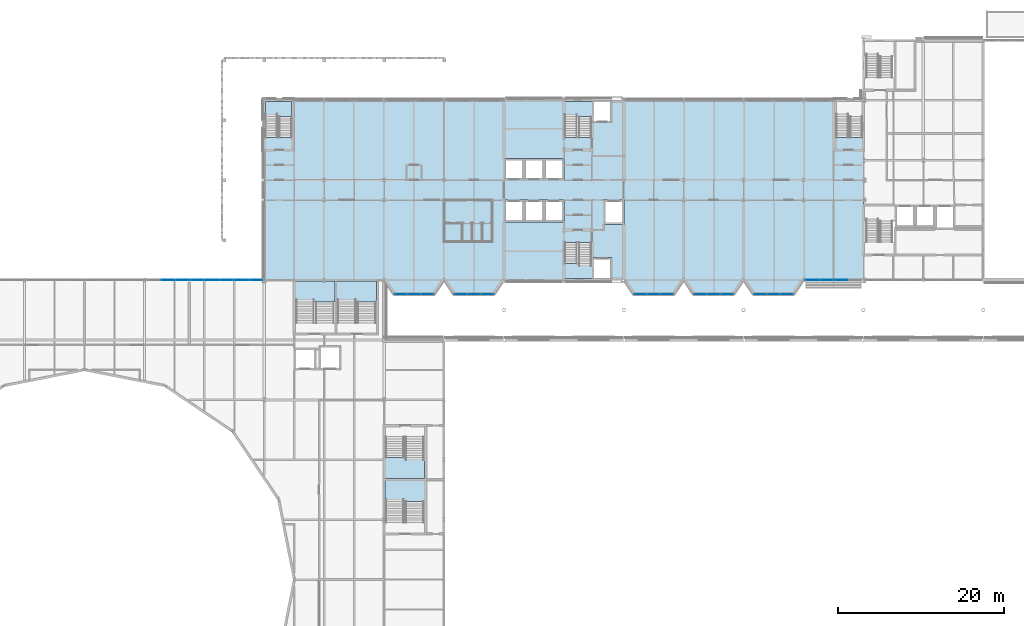
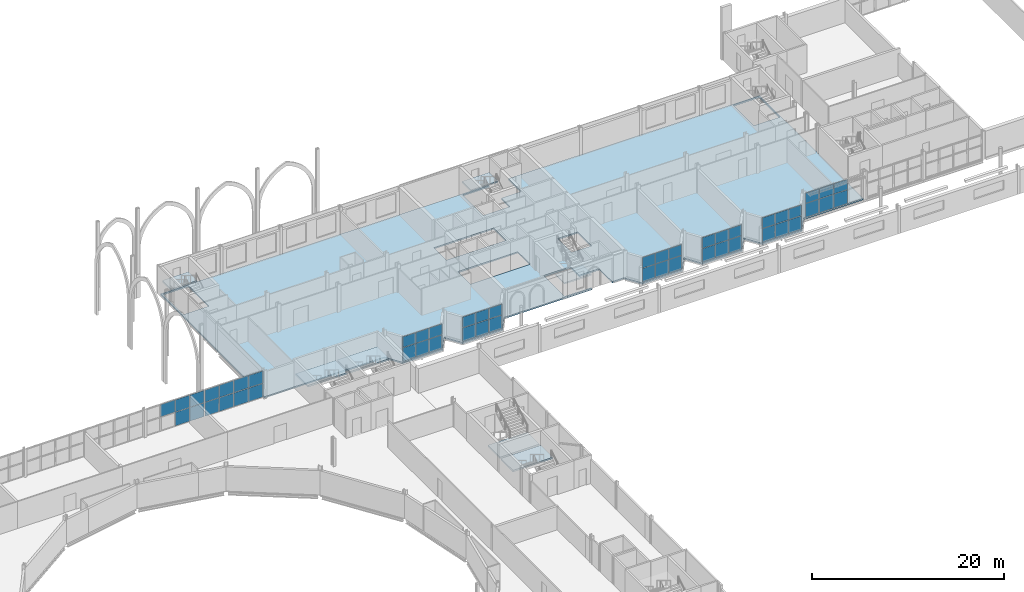
# One storey, part 60 of 124: 49 plates, 8 slabs, 15 elements without a shape of their own.
"""IFC4 building model written with IfcOpenShell, lengths in metres."""

from ifc_helpers import new_model, si_unit, direction, frame, origin, origin_2d, place, context, subcontext, project, spatial, polyline, rectangle, outline, extrude, material, layer, layer_set, type_object, element, aggregate, save


model = new_model("IFC4")

# Units and contexts
model_context = context("Model", 3, precision=1e-05, world=origin(), true_north=direction((0.0, 1.0)))
body_context = subcontext(model_context, "Body", "Model", "MODEL_VIEW")
ifc_project = project(units=[si_unit("LENGTHUNIT", "METRE"), si_unit("AREAUNIT", "SQUARE_METRE"), si_unit("VOLUMEUNIT", "CUBIC_METRE"), si_unit("PLANEANGLEUNIT", "RADIAN"), si_unit("MASSUNIT", "GRAM", prefix="KILO")], contexts=[model_context])

# Site, building, storey
site_placement = place(None, origin())
site = spatial("IfcSite", under=ifc_project, at=site_placement, CompositionType="ELEMENT")
building_placement = place(site_placement, origin())
building = spatial("IfcBuilding", under=site, at=building_placement, Name="Kupolbacken Congress Centre", CompositionType="ELEMENT")
storey_placement = place(building_placement, frame((0.0, 0.0, 10.800048828125)))
storey = spatial("IfcBuildingStorey", under=building, at=storey_placement, Name="L03", CompositionType="ELEMENT", Elevation=10.800048828125)

# Slab
ifc_material_1 = material(Name="Concrete C30/37", Category="concrete")
ifc_layer_1 = layer(ifc_material_1, 0.1201171875)
ifc_material_2 = material(Name="Steel S350 profiled deck", Category="steel")
ifc_layer_2 = layer(ifc_material_2, 0.06005859375)
ifc_layer_set_1 = layer_set([ifc_layer_1, ifc_layer_2], Name="Concrete C30/37 / Steel S350 profiled deck")
slab_type_1 = type_object("IfcSlabType", Name="FS3 slab 180", PredefinedType="FLOOR", material=ifc_layer_set_1)
slab_1_placement = place(storey_placement, frame((0.0, 0.0, -0.179931640625)))
element("IfcSlab", 1, at=slab_1_placement, inside=storey, type_object=slab_type_1, Name="S/floor/T/L03/slab/slab", PredefinedType="FLOOR", context=body_context, shape_type="SweptSolid", body=[
    extrude(outline(polyline([(79.200439453125, 122.399169921875), (80.399658203125, 120.6005859375), (85.2001953125, 120.6005859375), (86.39990234375, 122.39990234375), (87.599609375, 120.6005859375), (92.400390625, 120.6005859375), (93.599609375, 122.3994140625), (93.599609375, 122.400390625), (104.199462890625, 122.400390625), (104.199462890625, 122.574462890625), (100.974609375, 122.574462890625), (100.974609375, 126.890380859375), (104.200439453125, 126.890380859375), (104.200439453125, 125.1005859375), (106.6005859375, 125.1005859375), (106.6005859375, 122.400390625), (108.00048828125, 122.400390625), (108.00048828125, 122.399169921875), (109.19970703125, 120.6005859375), (114.000244140625, 120.6005859375), (115.199951171875, 122.39990234375), (116.399658203125, 120.6005859375), (121.2001953125, 120.6005859375), (122.39990234375, 122.39990234375), (123.599609375, 120.6005859375), (128.400390625, 120.6005859375), (129.599609375, 122.3994140625), (129.599609375, 122.400390625), (136.799560546875, 122.400390625), (136.799560546875, 143.99951171875), (106.6005859375, 143.99951171875), (106.6005859375, 141.299560546875), (104.200439453125, 141.299560546875), (104.200439453125, 139.509521484375), (100.974609375, 139.509521484375), (100.974609375, 143.825439453125), (104.199462890625, 143.825439453125), (104.199462890625, 143.99951171875), (64.800537109375, 143.99951171875), (64.800537109375, 122.400390625), (79.200439453125, 122.400390625), (79.200439453125, 122.399169921875)]), holes=[polyline([(136.650390625, 139.534423828125), (133.549560546875, 139.534423828125), (133.549560546875, 143.8505859375), (136.650390625, 143.8505859375), (136.650390625, 139.534423828125)]), polyline([(108.00048828125, 129.099609375), (105.599609375, 129.099609375), (105.599609375, 132.00048828125), (108.00048828125, 132.00048828125), (108.00048828125, 129.099609375)]), polyline([(93.599609375, 132.00048828125), (100.800537109375, 132.00048828125), (100.800537109375, 129.3994140625), (93.599609375, 129.3994140625), (93.599609375, 132.00048828125)]), polyline([(93.599609375, 137.00048828125), (100.800537109375, 137.00048828125), (100.800537109375, 134.3994140625), (93.599609375, 134.3994140625), (93.599609375, 137.00048828125)]), polyline([(68.050537109375, 143.8505859375), (68.050537109375, 139.534423828125), (64.949462890625, 139.534423828125), (64.949462890625, 143.8505859375), (68.050537109375, 143.8505859375)])]), origin(), (0.0, 0.0, 1.0), 0.179931640625),
])

# Curtain wall, plates
ifc_material_3 = material(Name="Aluminium mullion-transom frame with glass", Category="aluminium")
curtain_wall_type = type_object("IfcCurtainWallType", Name="CW1 curtain wall 7200x3600", PredefinedType="NOTDEFINED", material=ifc_material_3)
curtain_wall_1_placement = place(storey_placement, origin())
curtain_wall_1 = element("IfcCurtainWall", 2, at=curtain_wall_1_placement, inside=storey, type_object=curtain_wall_type, Name="E/P/N/L03/374", PredefinedType="NOTDEFINED")
ifc_material_4 = material(Name="Glass", Category="glass")
ifc_layer_3 = layer(ifc_material_4, 0.035888671875)
ifc_layer_set_2 = layer_set([ifc_layer_3], Name="Glass")
plate_type = type_object("IfcPlateType", Name="GL2 glass panel 36", PredefinedType="CURTAIN_PANEL", material=ifc_layer_set_2)
plate_1_placement = place(storey_placement, frame((63.75634765625, 122.39990234375, 0.0498046875), z_axis=(0.0, 0.0, 1.0), x_axis=(-1.0, 0.0, 0.0)))
plate_1 = element("IfcPlate", 3, at=plate_1_placement, type_object=plate_type, Name="CW1 panel 1.1", PredefinedType="CURTAIN_PANEL", context=body_context, shape_type="SweptSolid", body=[
    extrude(rectangle(XDim=1.6875, YDim=0.035888671875, at=origin_2d()), origin(), (0.0, 0.0, 1.0), 1.72509765625),
])
plate_2_placement = place(storey_placement, frame((63.75634765625, 122.39990234375, 1.824951171875), z_axis=(0.0, 0.0, 1.0), x_axis=(-1.0, 0.0, 0.0)))
plate_2 = element("IfcPlate", 4, at=plate_2_placement, type_object=plate_type, Name="CW1 panel 1.2", PredefinedType="CURTAIN_PANEL", context=body_context, shape_type="SweptSolid", body=[
    extrude(rectangle(XDim=1.6875, YDim=0.035888671875, at=origin_2d()), origin(), (0.0, 0.0, 1.0), 1.544921875),
])
plate_3_placement = place(storey_placement, frame((62.00634765625, 122.39990234375, 0.0498046875), z_axis=(0.0, 0.0, 1.0), x_axis=(-1.0, 0.0, 0.0)))
plate_3 = element("IfcPlate", 5, at=plate_3_placement, type_object=plate_type, Name="CW1 panel 2.1", PredefinedType="CURTAIN_PANEL", context=body_context, shape_type="SweptSolid", body=[
    extrude(rectangle(XDim=1.71240234375, YDim=0.035888671875, at=origin_2d()), origin(), (0.0, 0.0, 1.0), 1.72509765625),
])
plate_4_placement = place(storey_placement, frame((62.00634765625, 122.39990234375, 1.824951171875), z_axis=(0.0, 0.0, 1.0), x_axis=(-1.0, 0.0, 0.0)))
plate_4 = element("IfcPlate", 6, at=plate_4_placement, type_object=plate_type, Name="CW1 panel 2.2", PredefinedType="CURTAIN_PANEL", context=body_context, shape_type="SweptSolid", body=[
    extrude(rectangle(XDim=1.71240234375, YDim=0.035888671875, at=origin_2d()), origin(), (0.0, 0.0, 1.0), 1.544921875),
])
plate_5_placement = place(storey_placement, frame((60.24365234375, 122.39990234375, 0.0498046875), z_axis=(0.0, 0.0, 1.0), x_axis=(-1.0, 0.0, 0.0)))
plate_5 = element("IfcPlate", 7, at=plate_5_placement, type_object=plate_type, Name="CW1 panel 3.1", PredefinedType="CURTAIN_PANEL", context=body_context, shape_type="SweptSolid", body=[
    extrude(rectangle(XDim=1.71240234375, YDim=0.035888671875, at=origin_2d()), origin(), (0.0, 0.0, 1.0), 1.72509765625),
])
plate_6_placement = place(storey_placement, frame((60.24365234375, 122.39990234375, 1.824951171875), z_axis=(0.0, 0.0, 1.0), x_axis=(-1.0, 0.0, 0.0)))
plate_6 = element("IfcPlate", 8, at=plate_6_placement, type_object=plate_type, Name="CW1 panel 3.2", PredefinedType="CURTAIN_PANEL", context=body_context, shape_type="SweptSolid", body=[
    extrude(rectangle(XDim=1.71240234375, YDim=0.035888671875, at=origin_2d()), origin(), (0.0, 0.0, 1.0), 1.544921875),
])
plate_7_placement = place(storey_placement, frame((58.49365234375, 122.39990234375, 0.0498046875), z_axis=(0.0, 0.0, 1.0), x_axis=(-1.0, 0.0, 0.0)))
plate_7 = element("IfcPlate", 9, at=plate_7_placement, type_object=plate_type, Name="CW1 panel 4.1", PredefinedType="CURTAIN_PANEL", context=body_context, shape_type="SweptSolid", body=[
    extrude(rectangle(XDim=1.6875, YDim=0.035888671875, at=origin_2d()), origin(), (0.0, 0.0, 1.0), 1.72509765625),
])
plate_8_placement = place(storey_placement, frame((58.49365234375, 122.39990234375, 1.824951171875), z_axis=(0.0, 0.0, 1.0), x_axis=(-1.0, 0.0, 0.0)))
plate_8 = element("IfcPlate", 10, at=plate_8_placement, type_object=plate_type, Name="CW1 panel 4.2", PredefinedType="CURTAIN_PANEL", context=body_context, shape_type="SweptSolid", body=[
    extrude(rectangle(XDim=1.6875, YDim=0.035888671875, at=origin_2d()), origin(), (0.0, 0.0, 1.0), 1.544921875),
])
aggregate(curtain_wall_1, [plate_1, plate_2, plate_3, plate_4, plate_5, plate_6, plate_7, plate_8])

curtain_wall_2_placement = place(storey_placement, origin())
curtain_wall_2 = element("IfcCurtainWall", 11, at=curtain_wall_2_placement, inside=storey, type_object=curtain_wall_type, Name="E/P/N/L03/375", PredefinedType="NOTDEFINED")
plate_9_placement = place(storey_placement, frame((56.706298828125, 122.39990234375, 0.0498046875), z_axis=(0.0, 0.0, 1.0), x_axis=(-1.0, 0.0, 0.0)))
plate_9 = element("IfcPlate", 12, at=plate_9_placement, type_object=plate_type, Name="CW1 panel 1.1", PredefinedType="CURTAIN_PANEL", context=body_context, shape_type="SweptSolid", body=[
    extrude(rectangle(XDim=1.6875, YDim=0.035888671875, at=origin_2d()), origin(), (0.0, 0.0, 1.0), 1.72509765625),
])
plate_10_placement = place(storey_placement, frame((56.706298828125, 122.39990234375, 1.824951171875), z_axis=(0.0, 0.0, 1.0), x_axis=(-1.0, 0.0, 0.0)))
plate_10 = element("IfcPlate", 13, at=plate_10_placement, type_object=plate_type, Name="CW1 panel 1.2", PredefinedType="CURTAIN_PANEL", context=body_context, shape_type="SweptSolid", body=[
    extrude(rectangle(XDim=1.6875, YDim=0.035888671875, at=origin_2d()), origin(), (0.0, 0.0, 1.0), 1.544921875),
])
plate_11_placement = place(storey_placement, frame((54.956298828125, 122.39990234375, 0.0498046875), z_axis=(0.0, 0.0, 1.0), x_axis=(-1.0, 0.0, 0.0)))
plate_11 = element("IfcPlate", 14, at=plate_11_placement, type_object=plate_type, Name="CW1 panel 2.1", PredefinedType="CURTAIN_PANEL", context=body_context, shape_type="SweptSolid", body=[
    extrude(rectangle(XDim=1.71240234375, YDim=0.035888671875, at=origin_2d()), origin(), (0.0, 0.0, 1.0), 1.72509765625),
])
plate_12_placement = place(storey_placement, frame((54.956298828125, 122.39990234375, 1.824951171875), z_axis=(0.0, 0.0, 1.0), x_axis=(-1.0, 0.0, 0.0)))
plate_12 = element("IfcPlate", 15, at=plate_12_placement, type_object=plate_type, Name="CW1 panel 2.2", PredefinedType="CURTAIN_PANEL", context=body_context, shape_type="SweptSolid", body=[
    extrude(rectangle(XDim=1.71240234375, YDim=0.035888671875, at=origin_2d()), origin(), (0.0, 0.0, 1.0), 1.544921875),
])
plate_13_placement = place(storey_placement, frame((53.19384765625, 122.39990234375, 1.824951171875), z_axis=(0.0, 0.0, 1.0), x_axis=(-1.0, 0.0, 0.0)))
plate_13 = element("IfcPlate", 16, at=plate_13_placement, type_object=plate_type, Name="CW1 panel 3.2", PredefinedType="CURTAIN_PANEL", context=body_context, shape_type="SweptSolid", body=[
    extrude(rectangle(XDim=1.71240234375, YDim=0.035888671875, at=origin_2d()), origin(), (0.0, 0.0, 1.0), 1.544921875),
])
aggregate(curtain_wall_2, [plate_9, plate_10, plate_11, plate_12, plate_13])

curtain_wall_3_placement = place(storey_placement, origin())
curtain_wall_3 = element("IfcCurtainWall", 17, at=curtain_wall_3_placement, inside=storey, type_object=curtain_wall_type, Name="E/T/S/L03/043/g0", PredefinedType="NOTDEFINED")
plate_14_placement = place(storey_placement, frame((130.628173828125, 122.39990234375, 0.0498046875), z_axis=(0.0, 0.0, 1.0), x_axis=(1.0, 0.0, 0.0)))
plate_14 = element("IfcPlate", 18, at=plate_14_placement, type_object=plate_type, Name="CW1 panel 1.1", PredefinedType="CURTAIN_PANEL", context=body_context, shape_type="SweptSolid", body=[
    extrude(rectangle(XDim=1.649169921875, YDim=0.035888671875, at=origin_2d()), origin(), (0.0, 0.0, 1.0), 1.72509765625),
])
plate_15_placement = place(storey_placement, frame((130.628173828125, 122.39990234375, 1.8251953125), z_axis=(0.0, 0.0, 1.0), x_axis=(1.0, 0.0, 0.0)))
plate_15 = element("IfcPlate", 19, at=plate_15_placement, type_object=plate_type, Name="CW1 panel 1.2", PredefinedType="CURTAIN_PANEL", context=body_context, shape_type="SweptSolid", body=[
    extrude(rectangle(XDim=1.649169921875, YDim=0.035888671875, at=origin_2d()), origin(), (0.0, 0.0, 1.0), 1.284912109375),
])
plate_16_placement = place(storey_placement, frame((132.339599609375, 122.39990234375, 0.0498046875), z_axis=(0.0, 0.0, 1.0), x_axis=(1.0, 0.0, 0.0)))
plate_16 = element("IfcPlate", 20, at=plate_16_placement, type_object=plate_type, Name="CW1 panel 2.1", PredefinedType="CURTAIN_PANEL", context=body_context, shape_type="SweptSolid", body=[
    extrude(rectangle(XDim=1.674072265625, YDim=0.035888671875, at=origin_2d()), origin(), (0.0, 0.0, 1.0), 1.72509765625),
])
plate_17_placement = place(storey_placement, frame((132.339599609375, 122.39990234375, 1.8251953125), z_axis=(0.0, 0.0, 1.0), x_axis=(1.0, 0.0, 0.0)))
plate_17 = element("IfcPlate", 21, at=plate_17_placement, type_object=plate_type, Name="CW1 panel 2.2", PredefinedType="CURTAIN_PANEL", context=body_context, shape_type="SweptSolid", body=[
    extrude(rectangle(XDim=1.674072265625, YDim=0.035888671875, at=origin_2d()), origin(), (0.0, 0.0, 1.0), 1.284912109375),
])
plate_18_placement = place(storey_placement, frame((134.063720703125, 122.39990234375, 0.0498046875), z_axis=(0.0, 0.0, 1.0), x_axis=(1.0, 0.0, 0.0)))
plate_18 = element("IfcPlate", 22, at=plate_18_placement, type_object=plate_type, Name="CW1 panel 3.1", PredefinedType="CURTAIN_PANEL", context=body_context, shape_type="SweptSolid", body=[
    extrude(rectangle(XDim=1.674072265625, YDim=0.035888671875, at=origin_2d()), origin(), (0.0, 0.0, 1.0), 1.72509765625),
])
plate_19_placement = place(storey_placement, frame((134.063720703125, 122.39990234375, 1.8251953125), z_axis=(0.0, 0.0, 1.0), x_axis=(1.0, 0.0, 0.0)))
plate_19 = element("IfcPlate", 23, at=plate_19_placement, type_object=plate_type, Name="CW1 panel 3.2", PredefinedType="CURTAIN_PANEL", context=body_context, shape_type="SweptSolid", body=[
    extrude(rectangle(XDim=1.674072265625, YDim=0.035888671875, at=origin_2d()), origin(), (0.0, 0.0, 1.0), 1.284912109375),
])
aggregate(curtain_wall_3, [plate_14, plate_15, plate_16, plate_17, plate_18, plate_19])

curtain_wall_4_placement = place(storey_placement, origin())
curtain_wall_4 = element("IfcCurtainWall", 24, at=curtain_wall_4_placement, inside=storey, type_object=curtain_wall_type, Name="E/T/cumba/L03/S/003/cw", PredefinedType="NOTDEFINED")
plate_20_placement = place(storey_placement, frame((81.21240234375, 120.699951171875, 0.0498046875), z_axis=(0.0, 0.0, 1.0), x_axis=(1.0, 0.0, 0.0)))
plate_20 = element("IfcPlate", 25, at=plate_20_placement, type_object=plate_type, Name="CW1 panel 1.1", PredefinedType="CURTAIN_PANEL", context=body_context, shape_type="SweptSolid", body=[
    extrude(rectangle(XDim=1.52490234375, YDim=0.035888671875, at=origin_2d()), origin(), (0.0, 0.0, 1.0), 1.72509765625),
])
plate_21_placement = place(storey_placement, frame((81.21240234375, 120.699951171875, 1.8251953125), z_axis=(0.0, 0.0, 1.0), x_axis=(1.0, 0.0, 0.0)))
plate_21 = element("IfcPlate", 26, at=plate_21_placement, type_object=plate_type, Name="CW1 panel 1.2", PredefinedType="CURTAIN_PANEL", context=body_context, shape_type="SweptSolid", body=[
    extrude(rectangle(XDim=1.52490234375, YDim=0.035888671875, at=origin_2d()), origin(), (0.0, 0.0, 1.0), 1.344970703125),
])
plate_22_placement = place(storey_placement, frame((82.800048828125, 120.699951171875, 0.0498046875), z_axis=(0.0, 0.0, 1.0), x_axis=(1.0, 0.0, 0.0)))
plate_22 = element("IfcPlate", 27, at=plate_22_placement, type_object=plate_type, Name="CW1 panel 2.1", PredefinedType="CURTAIN_PANEL", context=body_context, shape_type="SweptSolid", body=[
    extrude(rectangle(XDim=1.550048828125, YDim=0.035888671875, at=origin_2d()), origin(), (0.0, 0.0, 1.0), 1.72509765625),
])
plate_23_placement = place(storey_placement, frame((82.800048828125, 120.699951171875, 1.8251953125), z_axis=(0.0, 0.0, 1.0), x_axis=(1.0, 0.0, 0.0)))
plate_23 = element("IfcPlate", 28, at=plate_23_placement, type_object=plate_type, Name="CW1 panel 2.2", PredefinedType="CURTAIN_PANEL", context=body_context, shape_type="SweptSolid", body=[
    extrude(rectangle(XDim=1.550048828125, YDim=0.035888671875, at=origin_2d()), origin(), (0.0, 0.0, 1.0), 1.344970703125),
])
plate_24_placement = place(storey_placement, frame((84.387451171875, 120.699951171875, 0.0498046875), z_axis=(0.0, 0.0, 1.0), x_axis=(1.0, 0.0, 0.0)))
plate_24 = element("IfcPlate", 29, at=plate_24_placement, type_object=plate_type, Name="CW1 panel 3.1", PredefinedType="CURTAIN_PANEL", context=body_context, shape_type="SweptSolid", body=[
    extrude(rectangle(XDim=1.52490234375, YDim=0.035888671875, at=origin_2d()), origin(), (0.0, 0.0, 1.0), 1.72509765625),
])
plate_25_placement = place(storey_placement, frame((84.387451171875, 120.699951171875, 1.8251953125), z_axis=(0.0, 0.0, 1.0), x_axis=(1.0, 0.0, 0.0)))
plate_25 = element("IfcPlate", 30, at=plate_25_placement, type_object=plate_type, Name="CW1 panel 3.2", PredefinedType="CURTAIN_PANEL", context=body_context, shape_type="SweptSolid", body=[
    extrude(rectangle(XDim=1.52490234375, YDim=0.035888671875, at=origin_2d()), origin(), (0.0, 0.0, 1.0), 1.344970703125),
])
aggregate(curtain_wall_4, [plate_20, plate_21, plate_22, plate_23, plate_24, plate_25])

curtain_wall_5_placement = place(storey_placement, origin())
curtain_wall_5 = element("IfcCurtainWall", 31, at=curtain_wall_5_placement, inside=storey, type_object=curtain_wall_type, Name="E/T/cumba/L03/S/007/cw", PredefinedType="NOTDEFINED")
plate_26_placement = place(storey_placement, frame((88.41259765625, 120.699951171875, 0.0498046875), z_axis=(0.0, 0.0, 1.0), x_axis=(1.0, 0.0, 0.0)))
plate_26 = element("IfcPlate", 32, at=plate_26_placement, type_object=plate_type, Name="CW1 panel 1.1", PredefinedType="CURTAIN_PANEL", context=body_context, shape_type="SweptSolid", body=[
    extrude(rectangle(XDim=1.52490234375, YDim=0.035888671875, at=origin_2d()), origin(), (0.0, 0.0, 1.0), 1.72509765625),
])
plate_27_placement = place(storey_placement, frame((88.41259765625, 120.699951171875, 1.8251953125), z_axis=(0.0, 0.0, 1.0), x_axis=(1.0, 0.0, 0.0)))
plate_27 = element("IfcPlate", 33, at=plate_27_placement, type_object=plate_type, Name="CW1 panel 1.2", PredefinedType="CURTAIN_PANEL", context=body_context, shape_type="SweptSolid", body=[
    extrude(rectangle(XDim=1.52490234375, YDim=0.035888671875, at=origin_2d()), origin(), (0.0, 0.0, 1.0), 1.344970703125),
])
plate_28_placement = place(storey_placement, frame((90.0, 120.699951171875, 0.0498046875), z_axis=(0.0, 0.0, 1.0), x_axis=(1.0, 0.0, 0.0)))
plate_28 = element("IfcPlate", 34, at=plate_28_placement, type_object=plate_type, Name="CW1 panel 2.1", PredefinedType="CURTAIN_PANEL", context=body_context, shape_type="SweptSolid", body=[
    extrude(rectangle(XDim=1.550048828125, YDim=0.035888671875, at=origin_2d()), origin(), (0.0, 0.0, 1.0), 1.72509765625),
])
plate_29_placement = place(storey_placement, frame((90.0, 120.699951171875, 1.8251953125), z_axis=(0.0, 0.0, 1.0), x_axis=(1.0, 0.0, 0.0)))
plate_29 = element("IfcPlate", 35, at=plate_29_placement, type_object=plate_type, Name="CW1 panel 2.2", PredefinedType="CURTAIN_PANEL", context=body_context, shape_type="SweptSolid", body=[
    extrude(rectangle(XDim=1.550048828125, YDim=0.035888671875, at=origin_2d()), origin(), (0.0, 0.0, 1.0), 1.344970703125),
])
plate_30_placement = place(storey_placement, frame((91.58740234375, 120.699951171875, 0.0498046875), z_axis=(0.0, 0.0, 1.0), x_axis=(1.0, 0.0, 0.0)))
plate_30 = element("IfcPlate", 36, at=plate_30_placement, type_object=plate_type, Name="CW1 panel 3.1", PredefinedType="CURTAIN_PANEL", context=body_context, shape_type="SweptSolid", body=[
    extrude(rectangle(XDim=1.52490234375, YDim=0.035888671875, at=origin_2d()), origin(), (0.0, 0.0, 1.0), 1.72509765625),
])
plate_31_placement = place(storey_placement, frame((91.58740234375, 120.699951171875, 1.8251953125), z_axis=(0.0, 0.0, 1.0), x_axis=(1.0, 0.0, 0.0)))
plate_31 = element("IfcPlate", 37, at=plate_31_placement, type_object=plate_type, Name="CW1 panel 3.2", PredefinedType="CURTAIN_PANEL", context=body_context, shape_type="SweptSolid", body=[
    extrude(rectangle(XDim=1.52490234375, YDim=0.035888671875, at=origin_2d()), origin(), (0.0, 0.0, 1.0), 1.344970703125),
])
aggregate(curtain_wall_5, [plate_26, plate_27, plate_28, plate_29, plate_30, plate_31])

curtain_wall_6_placement = place(storey_placement, origin())
curtain_wall_6 = element("IfcCurtainWall", 38, at=curtain_wall_6_placement, inside=storey, type_object=curtain_wall_type, Name="E/T/cumba/L03/S/011/cw", PredefinedType="NOTDEFINED")
plate_32_placement = place(storey_placement, frame((110.012451171875, 120.699951171875, 0.0498046875), z_axis=(0.0, 0.0, 1.0), x_axis=(1.0, 0.0, 0.0)))
plate_32 = element("IfcPlate", 39, at=plate_32_placement, type_object=plate_type, Name="CW1 panel 1.1", PredefinedType="CURTAIN_PANEL", context=body_context, shape_type="SweptSolid", body=[
    extrude(rectangle(XDim=1.52490234375, YDim=0.035888671875, at=origin_2d()), origin(), (0.0, 0.0, 1.0), 1.72509765625),
])
plate_33_placement = place(storey_placement, frame((110.012451171875, 120.699951171875, 1.8251953125), z_axis=(0.0, 0.0, 1.0), x_axis=(1.0, 0.0, 0.0)))
plate_33 = element("IfcPlate", 40, at=plate_33_placement, type_object=plate_type, Name="CW1 panel 1.2", PredefinedType="CURTAIN_PANEL", context=body_context, shape_type="SweptSolid", body=[
    extrude(rectangle(XDim=1.52490234375, YDim=0.035888671875, at=origin_2d()), origin(), (0.0, 0.0, 1.0), 1.344970703125),
])
plate_34_placement = place(storey_placement, frame((111.60009765625, 120.699951171875, 0.0498046875), z_axis=(0.0, 0.0, 1.0), x_axis=(1.0, 0.0, 0.0)))
plate_34 = element("IfcPlate", 41, at=plate_34_placement, type_object=plate_type, Name="CW1 panel 2.1", PredefinedType="CURTAIN_PANEL", context=body_context, shape_type="SweptSolid", body=[
    extrude(rectangle(XDim=1.550048828125, YDim=0.035888671875, at=origin_2d()), origin(), (0.0, 0.0, 1.0), 1.72509765625),
])
plate_35_placement = place(storey_placement, frame((111.60009765625, 120.699951171875, 1.8251953125), z_axis=(0.0, 0.0, 1.0), x_axis=(1.0, 0.0, 0.0)))
plate_35 = element("IfcPlate", 42, at=plate_35_placement, type_object=plate_type, Name="CW1 panel 2.2", PredefinedType="CURTAIN_PANEL", context=body_context, shape_type="SweptSolid", body=[
    extrude(rectangle(XDim=1.550048828125, YDim=0.035888671875, at=origin_2d()), origin(), (0.0, 0.0, 1.0), 1.344970703125),
])
plate_36_placement = place(storey_placement, frame((113.1875, 120.699951171875, 0.0498046875), z_axis=(0.0, 0.0, 1.0), x_axis=(1.0, 0.0, 0.0)))
plate_36 = element("IfcPlate", 43, at=plate_36_placement, type_object=plate_type, Name="CW1 panel 3.1", PredefinedType="CURTAIN_PANEL", context=body_context, shape_type="SweptSolid", body=[
    extrude(rectangle(XDim=1.52490234375, YDim=0.035888671875, at=origin_2d()), origin(), (0.0, 0.0, 1.0), 1.72509765625),
])
plate_37_placement = place(storey_placement, frame((113.1875, 120.699951171875, 1.8251953125), z_axis=(0.0, 0.0, 1.0), x_axis=(1.0, 0.0, 0.0)))
plate_37 = element("IfcPlate", 44, at=plate_37_placement, type_object=plate_type, Name="CW1 panel 3.2", PredefinedType="CURTAIN_PANEL", context=body_context, shape_type="SweptSolid", body=[
    extrude(rectangle(XDim=1.52490234375, YDim=0.035888671875, at=origin_2d()), origin(), (0.0, 0.0, 1.0), 1.344970703125),
])
aggregate(curtain_wall_6, [plate_32, plate_33, plate_34, plate_35, plate_36, plate_37])

curtain_wall_7_placement = place(storey_placement, origin())
curtain_wall_7 = element("IfcCurtainWall", 45, at=curtain_wall_7_placement, inside=storey, type_object=curtain_wall_type, Name="E/T/cumba/L03/S/015/cw", PredefinedType="NOTDEFINED")
plate_38_placement = place(storey_placement, frame((117.21240234375, 120.699951171875, 0.0498046875), z_axis=(0.0, 0.0, 1.0), x_axis=(1.0, 0.0, 0.0)))
plate_38 = element("IfcPlate", 46, at=plate_38_placement, type_object=plate_type, Name="CW1 panel 1.1", PredefinedType="CURTAIN_PANEL", context=body_context, shape_type="SweptSolid", body=[
    extrude(rectangle(XDim=1.52490234375, YDim=0.035888671875, at=origin_2d()), origin(), (0.0, 0.0, 1.0), 1.72509765625),
])
plate_39_placement = place(storey_placement, frame((117.21240234375, 120.699951171875, 1.8251953125), z_axis=(0.0, 0.0, 1.0), x_axis=(1.0, 0.0, 0.0)))
plate_39 = element("IfcPlate", 47, at=plate_39_placement, type_object=plate_type, Name="CW1 panel 1.2", PredefinedType="CURTAIN_PANEL", context=body_context, shape_type="SweptSolid", body=[
    extrude(rectangle(XDim=1.52490234375, YDim=0.035888671875, at=origin_2d()), origin(), (0.0, 0.0, 1.0), 1.344970703125),
])
plate_40_placement = place(storey_placement, frame((118.800048828125, 120.699951171875, 0.0498046875), z_axis=(0.0, 0.0, 1.0), x_axis=(1.0, 0.0, 0.0)))
plate_40 = element("IfcPlate", 48, at=plate_40_placement, type_object=plate_type, Name="CW1 panel 2.1", PredefinedType="CURTAIN_PANEL", context=body_context, shape_type="SweptSolid", body=[
    extrude(rectangle(XDim=1.550048828125, YDim=0.035888671875, at=origin_2d()), origin(), (0.0, 0.0, 1.0), 1.72509765625),
])
plate_41_placement = place(storey_placement, frame((118.800048828125, 120.699951171875, 1.8251953125), z_axis=(0.0, 0.0, 1.0), x_axis=(1.0, 0.0, 0.0)))
plate_41 = element("IfcPlate", 49, at=plate_41_placement, type_object=plate_type, Name="CW1 panel 2.2", PredefinedType="CURTAIN_PANEL", context=body_context, shape_type="SweptSolid", body=[
    extrude(rectangle(XDim=1.550048828125, YDim=0.035888671875, at=origin_2d()), origin(), (0.0, 0.0, 1.0), 1.344970703125),
])
plate_42_placement = place(storey_placement, frame((120.387451171875, 120.699951171875, 0.0498046875), z_axis=(0.0, 0.0, 1.0), x_axis=(1.0, 0.0, 0.0)))
plate_42 = element("IfcPlate", 50, at=plate_42_placement, type_object=plate_type, Name="CW1 panel 3.1", PredefinedType="CURTAIN_PANEL", context=body_context, shape_type="SweptSolid", body=[
    extrude(rectangle(XDim=1.52490234375, YDim=0.035888671875, at=origin_2d()), origin(), (0.0, 0.0, 1.0), 1.72509765625),
])
plate_43_placement = place(storey_placement, frame((120.387451171875, 120.699951171875, 1.8251953125), z_axis=(0.0, 0.0, 1.0), x_axis=(1.0, 0.0, 0.0)))
plate_43 = element("IfcPlate", 51, at=plate_43_placement, type_object=plate_type, Name="CW1 panel 3.2", PredefinedType="CURTAIN_PANEL", context=body_context, shape_type="SweptSolid", body=[
    extrude(rectangle(XDim=1.52490234375, YDim=0.035888671875, at=origin_2d()), origin(), (0.0, 0.0, 1.0), 1.344970703125),
])
aggregate(curtain_wall_7, [plate_38, plate_39, plate_40, plate_41, plate_42, plate_43])

curtain_wall_8_placement = place(storey_placement, origin())
curtain_wall_8 = element("IfcCurtainWall", 52, at=curtain_wall_8_placement, inside=storey, type_object=curtain_wall_type, Name="E/T/cumba/L03/S/019/cw", PredefinedType="NOTDEFINED")
plate_44_placement = place(storey_placement, frame((124.41259765625, 120.699951171875, 0.0498046875), z_axis=(0.0, 0.0, 1.0), x_axis=(1.0, 0.0, 0.0)))
plate_44 = element("IfcPlate", 53, at=plate_44_placement, type_object=plate_type, Name="CW1 panel 1.1", PredefinedType="CURTAIN_PANEL", context=body_context, shape_type="SweptSolid", body=[
    extrude(rectangle(XDim=1.52490234375, YDim=0.035888671875, at=origin_2d()), origin(), (0.0, 0.0, 1.0), 1.72509765625),
])
plate_45_placement = place(storey_placement, frame((124.41259765625, 120.699951171875, 1.8251953125), z_axis=(0.0, 0.0, 1.0), x_axis=(1.0, 0.0, 0.0)))
plate_45 = element("IfcPlate", 54, at=plate_45_placement, type_object=plate_type, Name="CW1 panel 1.2", PredefinedType="CURTAIN_PANEL", context=body_context, shape_type="SweptSolid", body=[
    extrude(rectangle(XDim=1.52490234375, YDim=0.035888671875, at=origin_2d()), origin(), (0.0, 0.0, 1.0), 1.344970703125),
])
plate_46_placement = place(storey_placement, frame((126.0, 120.699951171875, 0.0498046875), z_axis=(0.0, 0.0, 1.0), x_axis=(1.0, 0.0, 0.0)))
plate_46 = element("IfcPlate", 55, at=plate_46_placement, type_object=plate_type, Name="CW1 panel 2.1", PredefinedType="CURTAIN_PANEL", context=body_context, shape_type="SweptSolid", body=[
    extrude(rectangle(XDim=1.550048828125, YDim=0.035888671875, at=origin_2d()), origin(), (0.0, 0.0, 1.0), 1.72509765625),
])
plate_47_placement = place(storey_placement, frame((126.0, 120.699951171875, 1.8251953125), z_axis=(0.0, 0.0, 1.0), x_axis=(1.0, 0.0, 0.0)))
plate_47 = element("IfcPlate", 56, at=plate_47_placement, type_object=plate_type, Name="CW1 panel 2.2", PredefinedType="CURTAIN_PANEL", context=body_context, shape_type="SweptSolid", body=[
    extrude(rectangle(XDim=1.550048828125, YDim=0.035888671875, at=origin_2d()), origin(), (0.0, 0.0, 1.0), 1.344970703125),
])
plate_48_placement = place(storey_placement, frame((127.58740234375, 120.699951171875, 0.0498046875), z_axis=(0.0, 0.0, 1.0), x_axis=(1.0, 0.0, 0.0)))
plate_48 = element("IfcPlate", 57, at=plate_48_placement, type_object=plate_type, Name="CW1 panel 3.1", PredefinedType="CURTAIN_PANEL", context=body_context, shape_type="SweptSolid", body=[
    extrude(rectangle(XDim=1.52490234375, YDim=0.035888671875, at=origin_2d()), origin(), (0.0, 0.0, 1.0), 1.72509765625),
])
plate_49_placement = place(storey_placement, frame((127.58740234375, 120.699951171875, 1.8251953125), z_axis=(0.0, 0.0, 1.0), x_axis=(1.0, 0.0, 0.0)))
plate_49 = element("IfcPlate", 58, at=plate_49_placement, type_object=plate_type, Name="CW1 panel 3.2", PredefinedType="CURTAIN_PANEL", context=body_context, shape_type="SweptSolid", body=[
    extrude(rectangle(XDim=1.52490234375, YDim=0.035888671875, at=origin_2d()), origin(), (0.0, 0.0, 1.0), 1.344970703125),
])
aggregate(curtain_wall_8, [plate_44, plate_45, plate_46, plate_47, plate_48, plate_49])

# Stair, slab
ifc_material_5 = material(Name="Steel S355", Category="steel")
stair_type_1 = type_object("IfcStairType", Name="ST2 stair 1500", PredefinedType="TWO_STRAIGHT_RUN_STAIR", material=ifc_material_5)
stair_1_placement = place(storey_placement, origin())
stair_1 = element("IfcStair", 59, at=stair_1_placement, inside=storey, type_object=stair_type_1, Name="C/stair/TS1/L03", PredefinedType="NOTDEFINED")
ifc_material_6 = material(Name="Concrete C30/37 precast", Category="concrete")
ifc_layer_4 = layer(ifc_material_6, 0.175048828125)
ifc_layer_set_3 = layer_set([ifc_layer_4], Name="Concrete C30/37 precast")
slab_type_2 = type_object("IfcSlabType", Name="SL1 slab 175", PredefinedType="LANDING", material=ifc_layer_set_3)
slab_2_placement = place(storey_placement, frame((0.0, 0.0, 1.539306640625)))
slab_2 = element("IfcSlab", 60, at=slab_2_placement, type_object=slab_type_2, Name="TS1 landing 1", PredefinedType="LANDING", context=body_context, shape_type="SweptSolid", body=[
    extrude(outline(polyline([(100.955078125, 122.554931640625), (104.219970703125, 122.554931640625), (104.219970703125, 124.3798828125), (100.955078125, 124.3798828125), (100.955078125, 122.554931640625)])), origin(), (0.0, 0.0, 1.0), 0.175048828125),
])
aggregate(stair_1, [slab_2])

stair_2_placement = place(storey_placement, origin())
stair_2 = element("IfcStair", 61, at=stair_2_placement, inside=storey, type_object=stair_type_1, Name="C/stair/TS2/L03", PredefinedType="NOTDEFINED")
slab_3_placement = place(storey_placement, frame((0.0, 0.0, 1.539306640625)))
slab_3 = element("IfcSlab", 62, at=slab_3_placement, type_object=slab_type_2, Name="TS2 landing 1", PredefinedType="LANDING", context=body_context, shape_type="SweptSolid", body=[
    extrude(outline(polyline([(100.955078125, 142.02001953125), (104.219970703125, 142.02001953125), (104.219970703125, 143.844970703125), (100.955078125, 143.844970703125), (100.955078125, 142.02001953125)])), origin(), (0.0, 0.0, 1.0), 0.175048828125),
])
aggregate(stair_2, [slab_3])

stair_3_placement = place(storey_placement, origin())
stair_3 = element("IfcStair", 63, at=stair_3_placement, inside=storey, type_object=stair_type_1, Name="C/stair/TS3/L03", PredefinedType="NOTDEFINED")
slab_4_placement = place(storey_placement, frame((0.0, 0.0, 1.539306640625)))
slab_4 = element("IfcSlab", 64, at=slab_4_placement, type_object=slab_type_2, Name="TS3 landing 1", PredefinedType="LANDING", context=body_context, shape_type="SweptSolid", body=[
    extrude(outline(polyline([(64.929931640625, 142.044921875), (68.070068359375, 142.044921875), (68.070068359375, 143.8701171875), (64.929931640625, 143.8701171875), (64.929931640625, 142.044921875)])), origin(), (0.0, 0.0, 1.0), 0.175048828125),
])
aggregate(stair_3, [slab_4])

ifc_material_7 = material(Name="Concrete C30/37", Category="concrete")
stair_type_2 = type_object("IfcStairType", Name="ST13 stair 2200", PredefinedType="TWO_STRAIGHT_RUN_STAIR", material=ifc_material_7)
stair_4_placement = place(storey_placement, origin())
stair_4 = element("IfcStair", 65, at=stair_4_placement, inside=storey, type_object=stair_type_2, Name="C/stair/PS1NE/L03", PredefinedType="NOTDEFINED")
ifc_layer_5 = layer(ifc_material_1, 0.175048828125)
ifc_material_8 = material(Name="Limestone", Category="masonry")
ifc_layer_6 = layer(ifc_material_8, 0.030029296875)
ifc_layer_set_4 = layer_set([ifc_layer_5, ifc_layer_6], Name="Concrete C30/37 / Limestone")
slab_type_3 = type_object("IfcSlabType", Name="SL2 slab 205", PredefinedType="LANDING", material=ifc_layer_set_4)
slab_5_placement = place(storey_placement, frame((0.0, 0.0, 1.50927734375)))
slab_5 = element("IfcSlab", 66, at=slab_5_placement, type_object=slab_type_3, Name="PS1NE landing 1", PredefinedType="LANDING", context=body_context, shape_type="SweptSolid", body=[
    extrude(outline(polyline([(68.5048828125, 119.77001953125), (73.294921875, 119.77001953125), (73.294921875, 122.294921875), (68.5048828125, 122.294921875), (68.5048828125, 119.77001953125)])), origin(), (0.0, 0.0, 1.0), 0.205078125),
])
aggregate(stair_4, [slab_5])

stair_5_placement = place(storey_placement, origin())
stair_5 = element("IfcStair", 67, at=stair_5_placement, inside=storey, type_object=stair_type_2, Name="C/stair/PS2NE/L03", PredefinedType="NOTDEFINED")
slab_6_placement = place(storey_placement, frame((0.0, 0.0, 1.50927734375)))
slab_6 = element("IfcSlab", 68, at=slab_6_placement, type_object=slab_type_3, Name="PS2NE landing 1", PredefinedType="LANDING", context=body_context, shape_type="SweptSolid", body=[
    extrude(outline(polyline([(73.5048828125, 119.77001953125), (78.294921875, 119.77001953125), (78.294921875, 122.294921875), (73.5048828125, 122.294921875), (73.5048828125, 119.77001953125)])), origin(), (0.0, 0.0, 1.0), 0.205078125),
])
aggregate(stair_5, [slab_6])

stair_6_placement = place(storey_placement, origin())
stair_6 = element("IfcStair", 69, at=stair_6_placement, inside=storey, type_object=stair_type_2, Name="C/stair/LS4/L03", PredefinedType="NOTDEFINED")
slab_7_placement = place(storey_placement, frame((0.0, 0.0, 1.50927734375)))
slab_7 = element("IfcSlab", 70, at=slab_7_placement, type_object=slab_type_3, Name="LS4 landing 1", PredefinedType="LANDING", context=body_context, shape_type="SweptSolid", body=[
    extrude(outline(polyline([(79.304931640625, 95.77001953125), (84.094970703125, 95.77001953125), (84.094970703125, 98.294921875), (79.304931640625, 98.294921875), (79.304931640625, 95.77001953125)])), origin(), (0.0, 0.0, 1.0), 0.205078125),
])
aggregate(stair_6, [slab_7])

stair_7_placement = place(storey_placement, origin())
stair_7 = element("IfcStair", 71, at=stair_7_placement, inside=storey, type_object=stair_type_2, Name="C/stair/LS2/L03", PredefinedType="NOTDEFINED")
slab_8_placement = place(storey_placement, frame((0.0, 0.0, 1.50927734375)))
slab_8 = element("IfcSlab", 72, at=slab_8_placement, type_object=slab_type_3, Name="LS2 landing 1", PredefinedType="LANDING", context=body_context, shape_type="SweptSolid", body=[
    extrude(outline(polyline([(79.330078125, 98.530029296875), (84.070068359375, 98.530029296875), (84.070068359375, 101.054931640625), (79.330078125, 101.054931640625), (79.330078125, 98.530029296875)])), origin(), (0.0, 0.0, 1.0), 0.205078125),
])
aggregate(stair_7, [slab_8])

save(model, "model.ifc")
